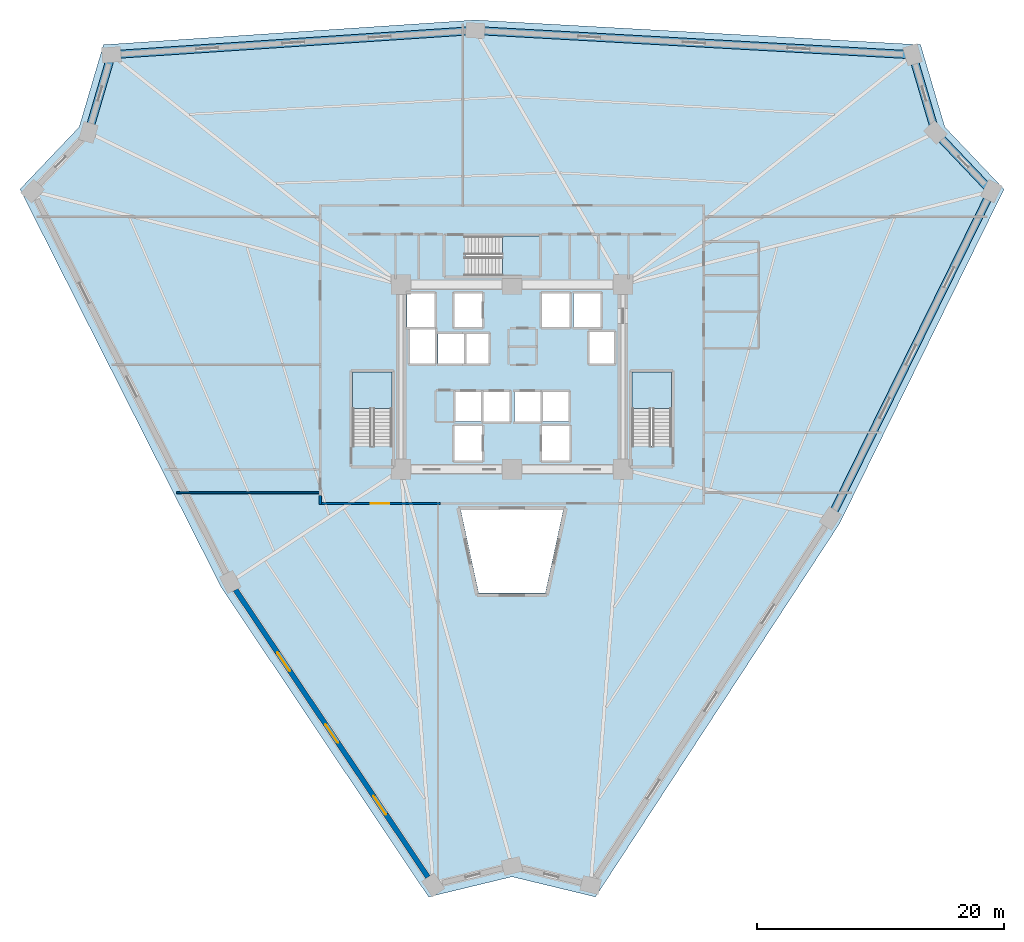
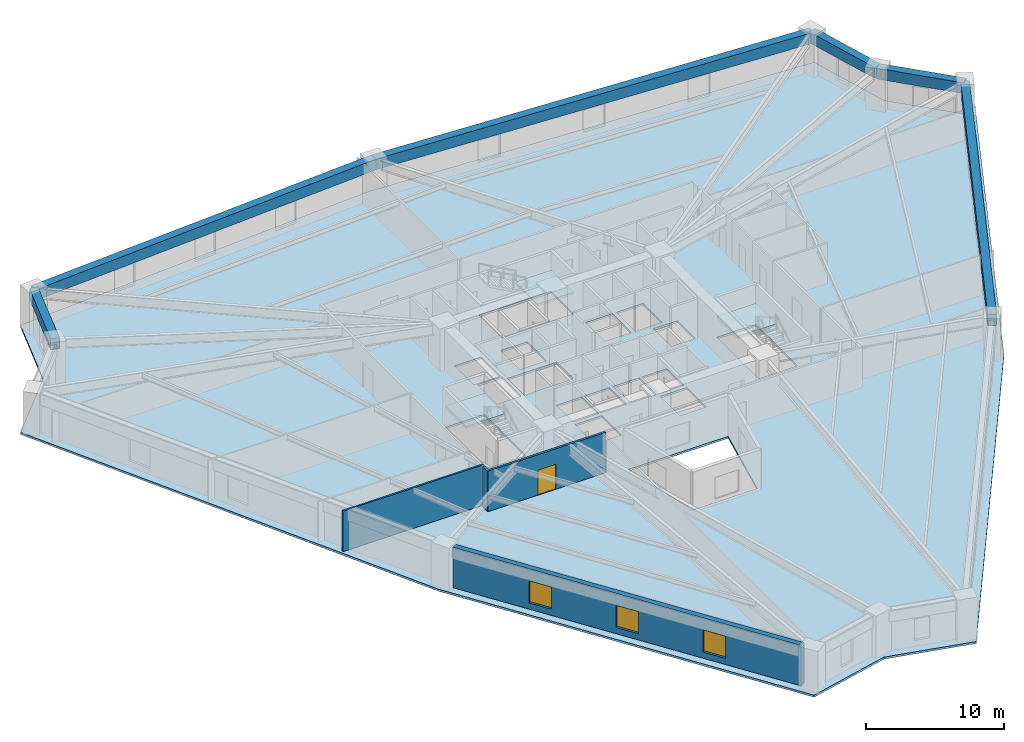
# One storey, part 2 of 8: 6 beams, 4 slabs, 4 walls, 3 windows, 1 door, 4 openings, 3 elements without a shape of their own.
"""IFC4 building model written with IfcOpenShell, lengths in metres."""

from ifc_helpers import new_model, si_unit, direction, frame, frame_2d, origin, origin_2d, place, context, subcontext, project, spatial, polyline, rectangle, outline, extrude, source, transform, mapped, material, layer, layer_set, material_profile, profile_set, type_object, element, fill, aggregate, save


model = new_model("IFC4")

# Units and contexts
model_context = context("Model", 3, precision=1e-05, world=origin(), true_north=direction((0.0, 1.0)))
body_context = subcontext(model_context, "Body", "Model", "MODEL_VIEW")
ifc_project = project(units=[si_unit("LENGTHUNIT", "METRE"), si_unit("AREAUNIT", "SQUARE_METRE"), si_unit("VOLUMEUNIT", "CUBIC_METRE"), si_unit("PLANEANGLEUNIT", "RADIAN"), si_unit("MASSUNIT", "GRAM", prefix="KILO")], contexts=[model_context])

# Site, building, storey
site_placement = place(None, origin())
site = spatial("IfcSite", under=ifc_project, at=site_placement, CompositionType="ELEMENT")
building_placement = place(site_placement, origin())
building = spatial("IfcBuilding", under=site, at=building_placement, Name="Liaohun Quay Tower", CompositionType="ELEMENT")
storey_placement = place(building_placement, frame((0.0, 0.0, 39.75)))
storey = spatial("IfcBuildingStorey", under=building, at=storey_placement, Name="L10", CompositionType="ELEMENT", Elevation=39.75)

# Beams
ifc_material_1 = material(Name="Precast concrete C55", Category="concrete")
ifc_material_profile = material_profile(ifc_material_1, rectangle(XDim=0.64990234375, YDim=0.949951171875, at=origin_2d()), Name="RC650x950")
ifc_profile_set = profile_set([ifc_material_profile], Name="Precast concrete C55")
beam_type = type_object("IfcBeamType", Name="BM-SPD-Z1", PredefinedType="SPANDREL", material=ifc_profile_set)
shared_shape_1 = source(origin(), body_context, "Body", "SweptSolid", [
    extrude(rectangle(XDim=0.64990234375, YDim=0.949951171875, at=origin_2d()), origin(), (0.0, 0.0, 1.0), 6.5703125),
])
beam_1_placement = place(storey_placement, frame((92.501953125, 80.139892578125, 3.094970703125), z_axis=(0.282814049913, -0.959174756325, 0.0), x_axis=(0.959174756325, 0.282814049913, 0.0)))
element("IfcBeam", 1, at=beam_1_placement, inside=storey, type_object=beam_type, Name="L10 Precast Spandrel Beam PC07-PC08", PredefinedType="SPANDREL", context=body_context, shape_type="MappedRepresentation", body=[
    mapped(shared_shape_1, transform((0.0, 0.0, 0.0), x_axis=(1.0, 0.0, 0.0), y_axis=(0.0, 1.0, 0.0), z_axis=(0.0, 0.0, 1.0), scale=1.0)),
])
shared_shape_2 = source(origin(), body_context, "Body", "SweptSolid", [
    extrude(rectangle(XDim=0.64990234375, YDim=0.949951171875, at=origin_2d()), origin(), (0.0, 0.0, 1.0), 6.57666015625),
])
beam_2_placement = place(storey_placement, frame((25.639892578125, 73.837890625, 3.094970703125), z_axis=(0.282835522447, 0.959168424857, 0.0), x_axis=(-0.959168424857, 0.282835522447, 0.0)))
element("IfcBeam", 2, at=beam_2_placement, inside=storey, type_object=beam_type, Name="L10 Precast Spandrel Beam PC04-PC05", PredefinedType="SPANDREL", context=body_context, shape_type="MappedRepresentation", body=[
    mapped(shared_shape_2, transform((0.0, 0.0, 0.0), x_axis=(1.0, 0.0, 0.0), y_axis=(0.0, 1.0, 0.0), z_axis=(0.0, 0.0, 1.0), scale=1.0)),
])
shared_shape_3 = source(origin(), body_context, "Body", "SweptSolid", [
    extrude(rectangle(XDim=0.64990234375, YDim=0.949951171875, at=origin_2d()), origin(), (0.0, 0.0, 1.0), 29.58740234375),
])
for number, where, z_axis, x_axis, name in (
    (3, (27.5, 80.14599609375, 3.094970703125), (0.997791980197, 0.066416596224, 0.0), (-0.066416596224, 0.997791980197, 0.0), "L10 Precast Spandrel Beam PC05-PC06"),
    (4, (98.89404296875, 69.072998046875, 3.094970703125), (-0.44140505038, -0.897307963577, 0.0), (0.897307963577, -0.44140505038, 0.0), "L10 Precast Spandrel Beam PC09-PC10"),
):
    element("IfcBeam", number, at=place(storey_placement, frame(where, z_axis=z_axis, x_axis=x_axis)), inside=storey, type_object=beam_type, Name=name, PredefinedType="SPANDREL", context=body_context, shape_type="MappedRepresentation", body=[
        mapped(shared_shape_3, transform((0.0, 0.0, 0.0), x_axis=(1.0, 0.0, 0.0), y_axis=(0.0, 1.0, 0.0), z_axis=(0.0, 0.0, 1.0), scale=1.0)),
    ])
shared_shape_4 = source(origin(), body_context, "Body", "SweptSolid", [
    extrude(rectangle(XDim=0.64990234375, YDim=0.949951171875, at=origin_2d()), origin(), (0.0, 0.0, 1.0), 35.53466796875),
])
beam_3_placement = place(storey_placement, frame((57.02197265625, 82.111083984375, 3.094970703125), z_axis=(0.998460226363, -0.055472302738, 0.0), x_axis=(0.055472302738, 0.998460226363, 0.0)))
element("IfcBeam", 5, at=beam_3_placement, inside=storey, type_object=beam_type, Name="L10 Precast Spandrel Beam PC06-PC07", PredefinedType="SPANDREL", context=body_context, shape_type="MappedRepresentation", body=[
    mapped(shared_shape_4, transform((0.0, 0.0, 0.0), x_axis=(1.0, 0.0, 0.0), y_axis=(0.0, 1.0, 0.0), z_axis=(0.0, 0.0, 1.0), scale=1.0)),
])
shared_shape_5 = source(origin(), body_context, "Body", "SweptSolid", [
    extrude(rectangle(XDim=0.64990234375, YDim=0.949951171875, at=origin_2d()), origin(), (0.0, 0.0, 1.0), 6.577392578125),
])
beam_4_placement = place(storey_placement, frame((94.360107421875, 73.837890625, 3.094970703125), z_axis=(0.68933162792, -0.724445930866, 0.0), x_axis=(0.724445930866, 0.68933162792, 0.0)))
element("IfcBeam", 6, at=beam_4_placement, inside=storey, type_object=beam_type, Name="L10 Precast Spandrel Beam PC08-PC09", PredefinedType="SPANDREL", context=body_context, shape_type="MappedRepresentation", body=[
    mapped(shared_shape_5, transform((0.0, 0.0, 0.0), x_axis=(1.0, 0.0, 0.0), y_axis=(0.0, 1.0, 0.0), z_axis=(0.0, 0.0, 1.0), scale=1.0)),
])

# Stair, slab
ifc_material_2 = material(Name="Concrete C45", Category="concrete")
stair_type = type_object("IfcStairType", Name="STR-CORE-OFF", PredefinedType="HALF_TURN_STAIR", material=ifc_material_2)
stair_1_placement = place(storey_placement, origin())
stair_1 = element("IfcStair", 7, at=stair_1_placement, inside=storey, type_object=stair_type, Name="L10 Smokeproof Core Exit Stair ST-1", PredefinedType="HALF_TURN_STAIR")
ifc_layer_1 = layer(ifc_material_2, 0.199951171875, Name="Concrete C45", Category="concrete")
ifc_layer_set_1 = layer_set([ifc_layer_1], Name="Concrete C45")
slab_type_1 = type_object("IfcSlabType", Name="SLB-LND-200", PredefinedType="LANDING", material=ifc_layer_set_1)
slab_1_placement = place(storey_placement, frame((0.0, 0.0, 1.675048828125)))
slab_1 = element("IfcSlab", 8, at=slab_1_placement, type_object=slab_type_1, Name="ST-1 landing 1", PredefinedType="LANDING", context=body_context, shape_type="SweptSolid", body=[
    extrude(outline(polyline([(50.280029296875, 51.429931640625), (50.280029296875, 54.419921875), (47.0400390625, 54.419921875), (47.0400390625, 51.429931640625), (50.280029296875, 51.429931640625)])), origin(), (0.0, 0.0, 1.0), 0.199951171875),
])
aggregate(stair_1, [slab_1])

stair_2_placement = place(storey_placement, origin())
stair_2 = element("IfcStair", 9, at=stair_2_placement, inside=storey, type_object=stair_type, Name="L10 Smokeproof Core Exit Stair ST-2", PredefinedType="HALF_TURN_STAIR")
slab_2_placement = place(storey_placement, frame((0.0, 0.0, 1.675048828125)))
slab_2 = element("IfcSlab", 10, at=slab_2_placement, type_object=slab_type_1, Name="ST-2 landing 1", PredefinedType="LANDING", context=body_context, shape_type="SweptSolid", body=[
    extrude(outline(polyline([(72.9599609375, 51.429931640625), (72.9599609375, 54.419921875), (69.719970703125, 54.419921875), (69.719970703125, 51.429931640625), (72.9599609375, 51.429931640625)])), origin(), (0.0, 0.0, 1.0), 0.199951171875),
])
aggregate(stair_2, [slab_2])

stair_3_placement = place(storey_placement, origin())
stair_3 = element("IfcStair", 11, at=stair_3_placement, inside=storey, type_object=stair_type, Name="L10 Smokeproof Core Exit Stair ST-3", PredefinedType="HALF_TURN_STAIR")
slab_3_placement = place(storey_placement, frame((0.0, 0.0, 1.675048828125)))
slab_3 = element("IfcSlab", 12, at=slab_3_placement, type_object=slab_type_1, Name="ST-3 landing 1", PredefinedType="LANDING", context=body_context, shape_type="SweptSolid", body=[
    extrude(outline(polyline([(59.22998046875, 62.199951171875), (62.219970703125, 62.199951171875), (62.219970703125, 65.43994140625), (59.22998046875, 65.43994140625), (59.22998046875, 62.199951171875)])), origin(), (0.0, 0.0, 1.0), 0.199951171875),
])
aggregate(stair_3, [slab_3])

# Slab
ifc_layer_2 = layer(ifc_material_2, 0.179931640625, Name="Concrete C45", Category="concrete")
ifc_layer_set_2 = layer_set([ifc_layer_2], Name="Concrete C45")
slab_type_2 = type_object("IfcSlabType", Name="SLB-OFF-180", PredefinedType="FLOOR", material=ifc_layer_set_2)
slab_4_placement = place(storey_placement, frame((0.0, 0.0, -0.179931640625)))
element("IfcSlab", 13, at=slab_4_placement, inside=storey, type_object=slab_type_2, Name="L10 Structural Floor Slab", PredefinedType="FLOOR", context=body_context, shape_type="SweptSolid", body=[
    extrude(outline(polyline([(53.22998046875, 11.81494140625), (60.0, 13.449951171875), (66.77001953125, 11.81494140625), (86.573974609375, 42.10205078125), (99.91796875, 69.22998046875), (95.116943359375, 74.27490234375), (93.14794921875, 80.955078125), (57.01708984375, 82.962890625), (26.85205078125, 80.955078125), (24.883056640625, 74.27490234375), (20.08203125, 69.22998046875), (36.408935546875, 36.93505859375), (53.22998046875, 11.81494140625)]), holes=[polyline([(57.56005859375, 47.2099609375), (57.56005859375, 50.030029296875), (55.340087890625, 50.030029296875), (55.340087890625, 47.2099609375), (57.56005859375, 47.2099609375)]), polyline([(50.280029296875, 54.419921875), (47.0400390625, 54.419921875), (47.0400390625, 48.409912109375), (50.280029296875, 48.409912109375), (50.280029296875, 54.419921875)]), polyline([(57.510009765625, 50.389892578125), (57.510009765625, 52.81005859375), (55.389892578125, 52.81005859375), (55.389892578125, 50.389892578125), (57.510009765625, 50.389892578125)]), polyline([(59.81005859375, 50.389892578125), (59.81005859375, 52.81005859375), (57.68994140625, 52.81005859375), (57.68994140625, 50.389892578125), (59.81005859375, 50.389892578125)]), polyline([(58.110107421875, 57.510009765625), (53.989990234375, 57.510009765625), (53.989990234375, 55.090087890625), (58.110107421875, 55.090087890625), (58.110107421875, 57.510009765625)]), polyline([(53.760009765625, 55.090087890625), (53.760009765625, 57.909912109375), (51.7099609375, 57.909912109375), (51.7099609375, 55.090087890625), (53.760009765625, 55.090087890625)]), polyline([(51.489990234375, 58.0400390625), (53.7099609375, 58.0400390625), (53.7099609375, 60.7900390625), (51.489990234375, 60.7900390625), (51.489990234375, 58.0400390625)]), polyline([(55.340087890625, 58.0400390625), (57.56005859375, 58.0400390625), (57.56005859375, 60.7900390625), (55.340087890625, 60.7900390625), (55.340087890625, 58.0400390625)]), polyline([(62.705078125, 36.4609375), (64.162109375, 43.199951171875), (55.837890625, 43.199951171875), (57.294921875, 36.4609375), (62.705078125, 36.4609375)]), polyline([(64.659912109375, 47.2099609375), (64.659912109375, 50.030029296875), (62.43994140625, 50.030029296875), (62.43994140625, 47.2099609375), (64.659912109375, 47.2099609375)]), polyline([(72.9599609375, 54.419921875), (69.719970703125, 54.419921875), (69.719970703125, 48.409912109375), (72.9599609375, 48.409912109375), (72.9599609375, 54.419921875)]), polyline([(62.31005859375, 50.389892578125), (62.31005859375, 52.81005859375), (60.18994140625, 52.81005859375), (60.18994140625, 50.389892578125), (62.31005859375, 50.389892578125)]), polyline([(64.610107421875, 50.389892578125), (64.610107421875, 52.81005859375), (62.489990234375, 52.81005859375), (62.489990234375, 50.389892578125), (64.610107421875, 50.389892578125)]), polyline([(68.2900390625, 55.090087890625), (68.2900390625, 57.659912109375), (66.2900390625, 57.659912109375), (66.2900390625, 55.090087890625), (68.2900390625, 55.090087890625)]), polyline([(64.659912109375, 58.0400390625), (64.659912109375, 60.7900390625), (62.43994140625, 60.7900390625), (62.43994140625, 58.0400390625), (64.659912109375, 58.0400390625)]), polyline([(64.989990234375, 58.0400390625), (67.2099609375, 58.0400390625), (67.2099609375, 60.7900390625), (64.989990234375, 60.7900390625), (64.989990234375, 58.0400390625)]), polyline([(56.2099609375, 62.199951171875), (62.219970703125, 62.199951171875), (62.219970703125, 65.43994140625), (56.2099609375, 65.43994140625), (56.2099609375, 62.199951171875)])]), origin(), (0.0, 0.0, 1.0), 0.179931640625),
])

# Wall, openings, windows
ifc_material_3 = material(Name="Precast concrete C50 insulated sandwich", Category="concrete")
ifc_layer_3 = layer(ifc_material_3, 0.419921875, Name="Precast concrete C50 insulated sandwich", Category="concrete")
ifc_layer_set_3 = layer_set([ifc_layer_3], Name="Precast concrete C50 insulated sandwich")
wall_type_1 = type_object("IfcWallType", Name="WAL-EXT-Z12", PredefinedType="SOLIDWALL", material=ifc_layer_set_3)
wall_1_placement = place(storey_placement, frame((37.570068359375, 36.72900390625, 0.0), z_axis=(0.0, 0.0, 1.0), x_axis=(0.556397860577, -0.830916013051, 0.0)))
wall_1 = element("IfcWall", 14, at=wall_1_placement, inside=storey, type_object=wall_type_1, Name="L10 Brutalist Precast Pier Wall 11", PredefinedType="SOLIDWALL", context=body_context, shape_type="SweptSolid", body=[
    extrude(rectangle(XDim=28.056884765625, YDim=0.419921875, at=frame_2d((14.0283203125, 0.0))), origin(), (0.0, 0.0, 1.0), 3.570068359375),
])
shared_shape_6 = source(origin(), body_context, "Body", "SweptSolid", [
    extrude(rectangle(XDim=1.800048828125, YDim=1.949951171875, at=frame_2d((0.89990234375, 0.97509765625))), frame((0.0, 0.219970703125, 0.0), z_axis=(0.0, -1.0, 0.0), x_axis=(1.0, 0.0, 0.0)), (0.0, 0.0, 1.0), 0.43994140625),
])
opening_1_placement = place(wall_1_placement, frame((6.114013671875, 0.0, 0.550048828125)))
opening_1 = element("IfcOpeningElement", 15, at=opening_1_placement, cuts=wall_1, Name="Opening W01", PredefinedType="OPENING", context=body_context, shape_type="MappedRepresentation", body=[
    mapped(shared_shape_6, transform((0.0, 0.0, 0.0), x_axis=(1.0, 0.0, 0.0), y_axis=(0.0, 1.0, 0.0), z_axis=(0.0, 0.0, 1.0), scale=1.0)),
])
opening_2_placement = place(wall_1_placement, frame((13.12890625, 0.0, 0.550048828125)))
opening_2 = element("IfcOpeningElement", 16, at=opening_2_placement, cuts=wall_1, Name="Opening W01", PredefinedType="OPENING", context=body_context, shape_type="MappedRepresentation", body=[
    mapped(shared_shape_6, transform((0.0, 0.0, 0.0), x_axis=(1.0, 0.0, 0.0), y_axis=(0.0, 1.0, 0.0), z_axis=(0.0, 0.0, 1.0), scale=1.0)),
])
opening_3_placement = place(wall_1_placement, frame((20.14306640625, 0.0, 0.550048828125)))
opening_3 = element("IfcOpeningElement", 17, at=opening_3_placement, cuts=wall_1, Name="Opening W01", PredefinedType="OPENING", context=body_context, shape_type="MappedRepresentation", body=[
    mapped(shared_shape_6, transform((0.0, 0.0, 0.0), x_axis=(1.0, 0.0, 0.0), y_axis=(0.0, 1.0, 0.0), z_axis=(0.0, 0.0, 1.0), scale=1.0)),
])
ifc_material_4 = material(Name="Triple Low-E argon glazing in thermally broken aluminium", Category="aluminium")
window_type = type_object("IfcWindowType", Name="WIN-PUN-Z1", PartitioningType="DOUBLE_PANEL_VERTICAL", PredefinedType="WINDOW", material=ifc_material_4)
shared_shape_7 = source(origin(), body_context, "Body", "SweptSolid", [
    extrude(rectangle(XDim=1.800048828125, YDim=1.949951171875, at=frame_2d((0.89990234375, 0.97509765625))), frame((0.0, 0.030029296875, 0.0), z_axis=(0.0, -1.0, 0.0), x_axis=(1.0, 0.0, 0.0)), (0.0, 0.0, 1.0), 0.06005859375),
])
window_1_placement = place(opening_1_placement, origin())
window_1 = element("IfcWindow", 18, at=window_1_placement, inside=storey, type_object=window_type, Name="L10 Recessed Cold-Climate Punched Window 11-1", OverallHeight=1.949951171875, OverallWidth=1.800048828125, PartitioningType="DOUBLE_PANEL_VERTICAL", PredefinedType="WINDOW", context=body_context, shape_type="MappedRepresentation", body=[
    mapped(shared_shape_7, transform((0.0, 0.0, 0.0), x_axis=(1.0, 0.0, 0.0), y_axis=(0.0, 1.0, 0.0), z_axis=(0.0, 0.0, 1.0), scale=1.0)),
])
fill(opening_1, window_1)
window_2_placement = place(opening_2_placement, origin())
window_2 = element("IfcWindow", 19, at=window_2_placement, inside=storey, type_object=window_type, Name="L10 Recessed Cold-Climate Punched Window 11-2", OverallHeight=1.949951171875, OverallWidth=1.800048828125, PartitioningType="DOUBLE_PANEL_VERTICAL", PredefinedType="WINDOW", context=body_context, shape_type="MappedRepresentation", body=[
    mapped(shared_shape_7, transform((0.0, 0.0, 0.0), x_axis=(1.0, 0.0, 0.0), y_axis=(0.0, 1.0, 0.0), z_axis=(0.0, 0.0, 1.0), scale=1.0)),
])
fill(opening_2, window_2)
window_3_placement = place(opening_3_placement, origin())
window_3 = element("IfcWindow", 20, at=window_3_placement, inside=storey, type_object=window_type, Name="L10 Recessed Cold-Climate Punched Window 11-3", OverallHeight=1.949951171875, OverallWidth=1.800048828125, PartitioningType="DOUBLE_PANEL_VERTICAL", PredefinedType="WINDOW", context=body_context, shape_type="MappedRepresentation", body=[
    mapped(shared_shape_7, transform((0.0, 0.0, 0.0), x_axis=(1.0, 0.0, 0.0), y_axis=(0.0, 1.0, 0.0), z_axis=(0.0, 0.0, 1.0), scale=1.0)),
])
fill(opening_3, window_3)

# Wall, opening, door
ifc_material_5 = material(Name="Autoclaved aerated concrete blockwork", Category="masonry")
ifc_layer_4 = layer(ifc_material_5, 0.179931640625, Name="Autoclaved aerated concrete blockwork", Category="masonry")
ifc_layer_set_4 = layer_set([ifc_layer_4], Name="Autoclaved aerated concrete blockwork")
wall_type_2 = type_object("IfcWallType", Name="WAL-PRT-COR", PredefinedType="PARTITIONING", material=ifc_layer_set_4)
wall_2_placement = place(storey_placement, frame((54.215087890625, 43.739990234375, 0.0), z_axis=(0.0, 0.0, 1.0), x_axis=(-1.0, 0.0, 0.0)))
wall_2 = element("IfcWall", 21, at=wall_2_placement, inside=storey, type_object=wall_type_2, Name="L10 Interior Partition Wall 020", PredefinedType="PARTITIONING", context=body_context, shape_type="SweptSolid", body=[
    extrude(rectangle(XDim=9.844970703125, YDim=0.179931640625, at=frame_2d((4.92236328125, 0.0))), origin(), (0.0, 0.0, 1.0), 3.570068359375),
])
shared_shape_8 = source(origin(), body_context, "Body", "SweptSolid", [
    extrude(rectangle(XDim=1.5, YDim=2.199951171875, at=frame_2d((0.75, 1.10009765625))), frame((0.0, 0.099853515625, 0.0), z_axis=(0.0, -1.0, 0.0), x_axis=(1.0, 0.0, 0.0)), (0.0, 0.0, 1.0), 0.199951171875),
])
opening_4_placement = place(wall_2_placement, frame((4.173095703125, 0.0, 0.0)))
opening_4 = element("IfcOpeningElement", 22, at=opening_4_placement, cuts=wall_2, Name="Opening OD2", PredefinedType="OPENING", context=body_context, shape_type="MappedRepresentation", body=[
    mapped(shared_shape_8, transform((0.0, 0.0, 0.0), x_axis=(1.0, 0.0, 0.0), y_axis=(0.0, 1.0, 0.0), z_axis=(0.0, 0.0, 1.0), scale=1.0)),
])
ifc_material_6 = material(Name="Acoustic oak veneer double door")
door_type = type_object("IfcDoorType", Name="DOR-OFF-1500", OperationType="DOUBLE_DOOR_SINGLE_SWING", PredefinedType="DOOR", material=ifc_material_6)
shared_shape_9 = source(origin(), body_context, "Body", "SweptSolid", [
    extrude(rectangle(XDim=1.5, YDim=2.199951171875, at=frame_2d((0.75, 1.10009765625))), frame((0.0, 0.02490234375, 0.0), z_axis=(0.0, -1.0, 0.0), x_axis=(1.0, 0.0, 0.0)), (0.0, 0.0, 1.0), 0.050048828125),
])
door_placement = place(opening_4_placement, origin())
door = element("IfcDoor", 23, at=door_placement, inside=storey, type_object=door_type, Name="L10 Architectural Design Studio 07 Door", OperationType="DOUBLE_DOOR_SINGLE_SWING", OverallHeight=2.199951171875, OverallWidth=1.5, PredefinedType="DOOR", context=body_context, shape_type="MappedRepresentation", body=[
    mapped(shared_shape_9, transform((0.0, 0.0, 0.0), x_axis=(1.0, 0.0, 0.0), y_axis=(0.0, 1.0, 0.0), z_axis=(0.0, 0.0, 1.0), scale=1.0)),
])
fill(opening_4, door)

# Walls
wall_3_placement = place(storey_placement, frame((44.43994140625, 43.669921875, 0.0), z_axis=(0.0, 0.0, 1.0), x_axis=(0.0, 1.0, 0.0)))
element("IfcWall", 24, at=wall_3_placement, inside=storey, type_object=wall_type_2, Name="L10 Interior Partition Wall 041", PredefinedType="PARTITIONING", context=body_context, shape_type="SweptSolid", body=[
    extrude(rectangle(XDim=0.715087890625, YDim=0.179931640625, at=frame_2d((0.357421875, 0.0))), origin(), (0.0, 0.0, 1.0), 3.570068359375),
])
ifc_material_7 = material(Name="Gypsum board on twin steel studs", Category="steel")
ifc_layer_5 = layer(ifc_material_7, 0.139892578125, Name="Gypsum board on twin steel studs", Category="steel")
ifc_layer_set_5 = layer_set([ifc_layer_5], Name="Gypsum board on twin steel studs")
wall_type_3 = type_object("IfcWallType", Name="WAL-PRT-OFF", PredefinedType="PARTITIONING", material=ifc_layer_set_5)
wall_4_placement = place(storey_placement, frame((44.5400390625, 44.60009765625, 0.0), z_axis=(0.0, 0.0, 1.0), x_axis=(-1.0, 0.0, 0.0)))
element("IfcWall", 25, at=wall_4_placement, inside=storey, type_object=wall_type_3, Name="L10 Interior Partition Wall 043", PredefinedType="PARTITIONING", context=body_context, shape_type="SweptSolid", body=[
    extrude(rectangle(XDim=11.760009765625, YDim=0.139892578125, at=frame_2d((5.8798828125, 0.0))), origin(), (0.0, 0.0, 1.0), 3.570068359375),
])

save(model, "model.ifc")
